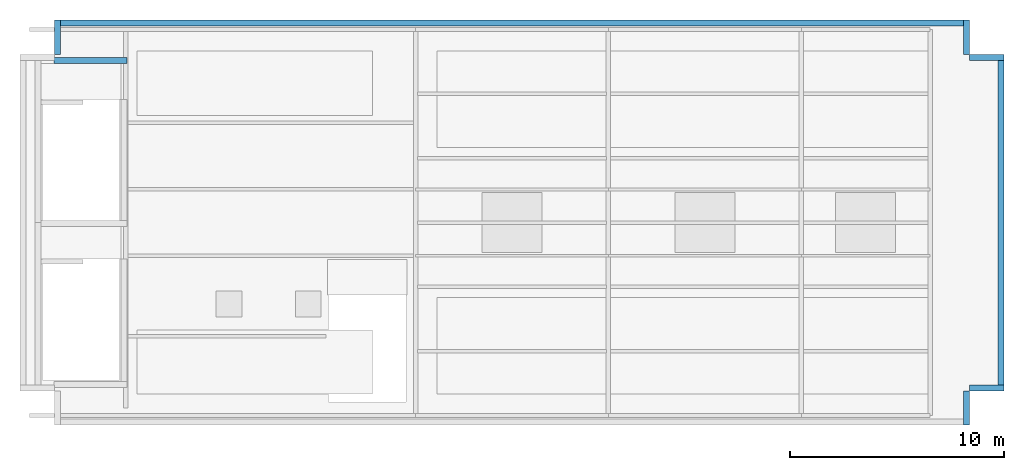
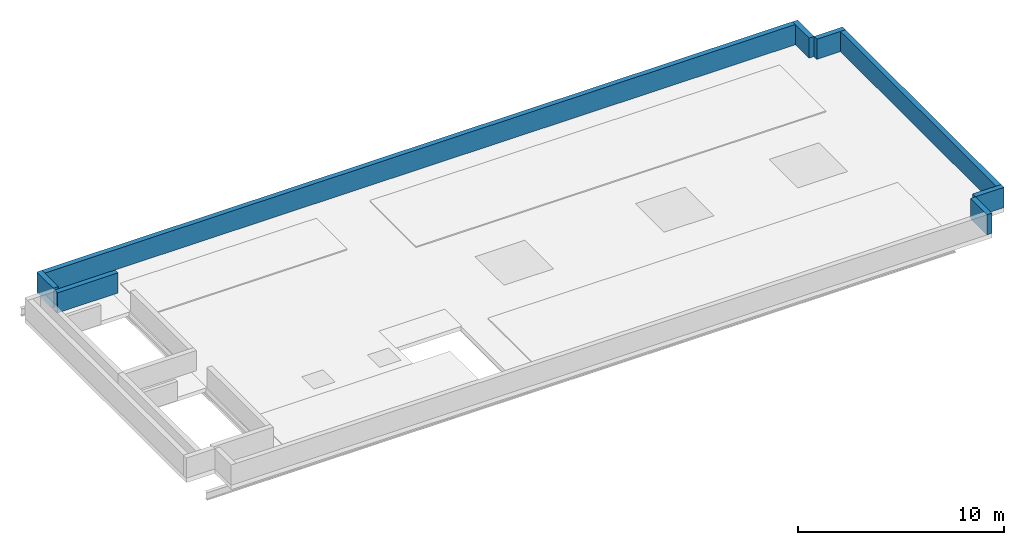
# One storey, part 2 of 3: 8 walls.
"""IFC4 building model written with IfcOpenShell, lengths in metres."""

from ifc_helpers import new_model, si_unit, direction, frame, frame_2d, origin, place, context, subcontext, project, spatial, rectangle, extrude, material, layer, layer_set, type_object, element, save


model = new_model("IFC4")

# Units and contexts
model_context = context("Model", 3, precision=1e-05, world=origin(), true_north=direction((0.0, 1.0)))
body_context = subcontext(model_context, "Body", "Model", "MODEL_VIEW")
ifc_project = project(units=[si_unit("LENGTHUNIT", "METRE"), si_unit("AREAUNIT", "SQUARE_METRE"), si_unit("VOLUMEUNIT", "CUBIC_METRE"), si_unit("PLANEANGLEUNIT", "RADIAN"), si_unit("MASSUNIT", "GRAM", prefix="KILO")], contexts=[model_context])

# Site, building, storey
site_placement = place(None, origin())
site = spatial("IfcSite", under=ifc_project, at=site_placement, CompositionType="ELEMENT")
building_placement = place(site_placement, origin())
building = spatial("IfcBuilding", under=site, at=building_placement, Name="Mawjdan Bourse Tower", CompositionType="ELEMENT")
storey_placement = place(building_placement, frame((0.0, 0.0, 322.199951171875)))
storey = spatial("IfcBuildingStorey", under=building, at=storey_placement, Name="RF", CompositionType="ELEMENT", Elevation=322.199951171875)

# Walls
ifc_material = material(Name="Brick Masonry Buff", Category="masonry")
ifc_layer = layer(ifc_material, 0.280029296875)
ifc_layer_set = layer_set([ifc_layer], Name="Brick Masonry Buff")
wall_type = type_object("IfcWallType", Name="WL-PRP-280", PredefinedType="PARAPET", material=ifc_layer_set)
for number, where, z_axis, x_axis, name in (
    (1, (49.7099609375, 2.550048828125, 0.0), (0.0, 0.0, 1.0), (0.0, 1.0, 0.0), "RF Crown Roof Parapet 2"),
    (2, (49.85009765625, 4.2900390625, 0.0), (0.0, 0.0, 1.0), (1.0, 0.0, 0.0), "RF Crown Roof Parapet 3"),
):
    element("IfcWall", number, at=place(storey_placement, frame(where, z_axis=z_axis, x_axis=x_axis)), inside=storey, type_object=wall_type, Name=name, PredefinedType="PARAPET", context=body_context, shape_type="SweptSolid", body=[
        extrude(rectangle(XDim=1.599853515625, YDim=0.280029296875, at=frame_2d((0.7998046875, 0.0))), origin(), (0.0, 0.0, 1.0), 1.199951171875),
    ])
wall_1_placement = place(storey_placement, frame((51.31005859375, 4.14990234375, 0.0), z_axis=(0.0, 0.0, 1.0), x_axis=(0.0, 1.0, 0.0)))
element("IfcWall", 3, at=wall_1_placement, inside=storey, type_object=wall_type, Name="RF Crown Roof Parapet 4", PredefinedType="PARAPET", context=body_context, shape_type="SweptSolid", body=[
    extrude(rectangle(XDim=15.7001953125, YDim=0.280029296875, at=frame_2d((7.85009765625, 0.0))), origin(), (0.0, 0.0, 1.0), 1.199951171875),
])
for number, where, z_axis, x_axis, name in (
    (4, (51.449951171875, 19.7099609375, 0.0), (0.0, 0.0, 1.0), (-1.0, 0.0, 0.0), "RF Crown Roof Parapet 5"),
    (5, (49.7099609375, 19.85009765625, 0.0), (0.0, 0.0, 1.0), (0.0, 1.0, 0.0), "RF Crown Roof Parapet 6"),
):
    element("IfcWall", number, at=place(storey_placement, frame(where, z_axis=z_axis, x_axis=x_axis)), inside=storey, type_object=wall_type, Name=name, PredefinedType="PARAPET", context=body_context, shape_type="SweptSolid", body=[
        extrude(rectangle(XDim=1.599853515625, YDim=0.280029296875, at=frame_2d((0.7998046875, 0.0))), origin(), (0.0, 0.0, 1.0), 1.199951171875),
    ])
wall_2_placement = place(storey_placement, frame((49.85009765625, 21.31005859375, 0.0), z_axis=(0.0, 0.0, 1.0), x_axis=(-1.0, 0.0, 0.0)))
element("IfcWall", 6, at=wall_2_placement, inside=storey, type_object=wall_type, Name="RF Crown Roof Parapet 7", PredefinedType="PARAPET", context=body_context, shape_type="SweptSolid", body=[
    extrude(rectangle(XDim=42.7001953125, YDim=0.280029296875, at=frame_2d((21.35009765625, 0.0))), origin(), (0.0, 0.0, 1.0), 1.199951171875),
])
wall_3_placement = place(storey_placement, frame((7.2900390625, 21.449951171875, 0.0), z_axis=(0.0, 0.0, 1.0), x_axis=(0.0, -1.0, 0.0)))
element("IfcWall", 7, at=wall_3_placement, inside=storey, type_object=wall_type, Name="RF Crown Roof Parapet 8", PredefinedType="PARAPET", context=body_context, shape_type="SweptSolid", body=[
    extrude(rectangle(XDim=1.599853515625, YDim=0.280029296875, at=frame_2d((0.7998046875, 0.0))), origin(), (0.0, 0.0, 1.0), 1.199951171875),
])
wall_4_placement = place(storey_placement, frame((7.1298828125, 19.550048828125, 0.0), z_axis=(0.0, 0.0, 1.0), x_axis=(1.0, 0.0, 0.0)))
element("IfcWall", 8, at=wall_4_placement, inside=storey, type_object=wall_type, Name="RF ST2 Stairwell North Roof Guard Parapet", PredefinedType="PARAPET", context=body_context, shape_type="SweptSolid", body=[
    extrude(rectangle(XDim=3.41015625, YDim=0.280029296875, at=frame_2d((1.705078125, 0.0))), origin(), (0.0, 0.0, 1.0), 1.199951171875),
])

save(model, "model.ifc")
